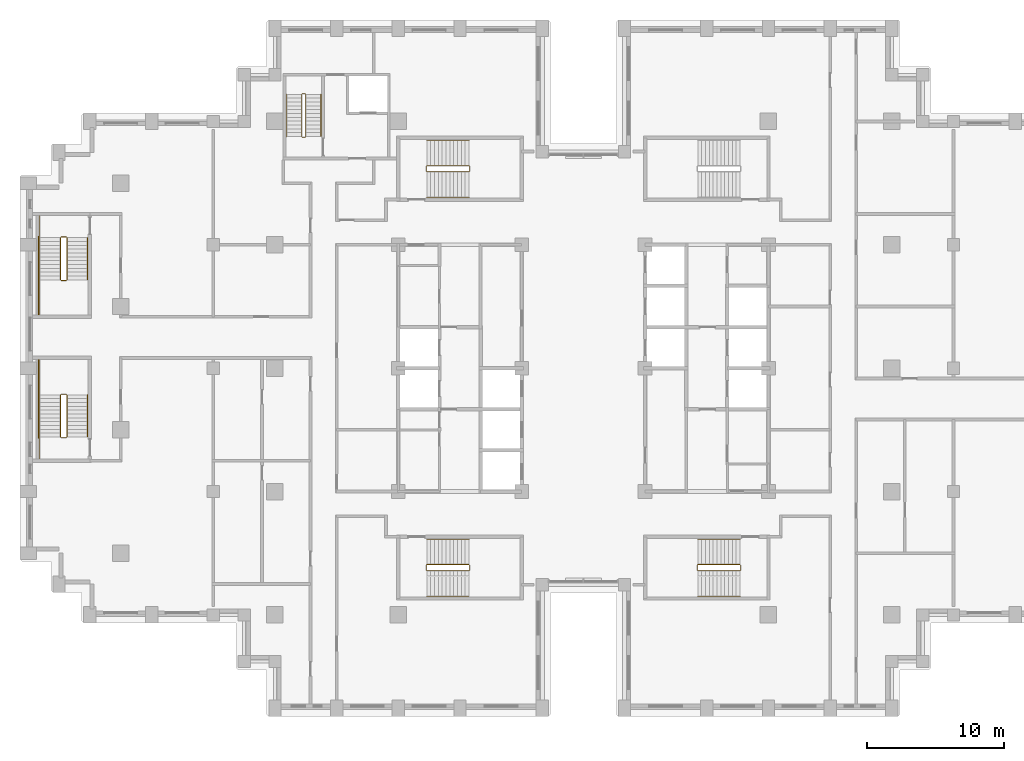
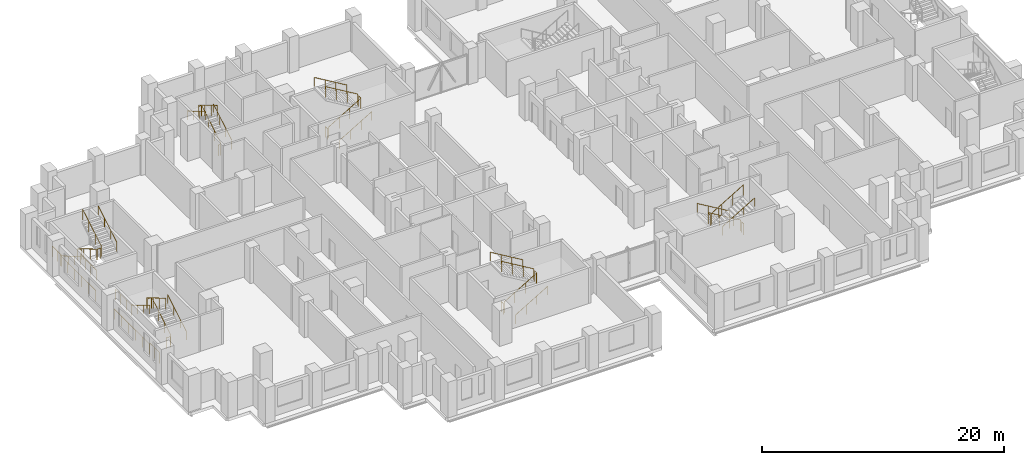
# One storey, part 15 of 16: 6 railings.
"""IFC4 building model written with IfcOpenShell, lengths in metres."""

from ifc_helpers import new_model, si_unit, direction, frame, origin, origin_2d, place, context, subcontext, project, spatial, circle, extrude, material, type_object, element, save


model = new_model("IFC4")

# Units and contexts
model_context = context("Model", 3, precision=1e-05, world=origin(), true_north=direction((0.0, 1.0)))
body_context = subcontext(model_context, "Body", "Model", "MODEL_VIEW")
ifc_project = project(units=[si_unit("LENGTHUNIT", "METRE"), si_unit("AREAUNIT", "SQUARE_METRE"), si_unit("VOLUMEUNIT", "CUBIC_METRE"), si_unit("PLANEANGLEUNIT", "RADIAN"), si_unit("MASSUNIT", "GRAM", prefix="KILO")], contexts=[model_context])

# Site, building, storey
site_placement = place(None, origin())
site = spatial("IfcSite", under=ifc_project, at=site_placement, CompositionType="ELEMENT")
building_placement = place(site_placement, origin())
building = spatial("IfcBuilding", under=site, at=building_placement, Name="Corbelhall Arena Tower", CompositionType="ELEMENT")
storey_placement = place(building_placement, frame((0.0, 0.0, 116.0)))
storey = spatial("IfcBuildingStorey", under=building, at=storey_placement, Name="L21", CompositionType="ELEMENT", Elevation=116.0)

# Railings
ifc_material = material(Name="Steel ASTM A500 Gr C", Category="steel")
railing_type = type_object("IfcRailingType", Name="IN-GD-1100", PredefinedType="GUARDRAIL", material=ifc_material)
railing_1_placement = place(storey_placement, frame((-11.425048828125, 14.324951171875, 0.166748046875)))
element("IfcRailing", 1, at=railing_1_placement, inside=storey, type_object=railing_type, Name="L21 ST1 stair guards and handrails", PredefinedType="GUARDRAIL", context=body_context, shape_type="SweptSolid", body=[
    extrude(circle(Radius=0.02392578125, at=origin_2d()), frame((0.0, 0.0, 1.076171875), z_axis=(0.859308565015, 0.0, 0.511457515432), x_axis=(0.0, 1.0, 0.0)), (0.0, 0.0, 1.0), 3.58447265625),
    extrude(circle(Radius=0.02392578125, at=origin_2d()), frame((3.130126953125, 0.050048828125, 2.9091796875), z_axis=(0.0, 1.0, 0.0), x_axis=(-1.0, 0.0, 0.0)), (0.0, 0.0, 1.0), 0.35009765625),
    extrude(circle(Radius=0.02392578125, at=origin_2d()), frame((3.080078125, 0.449951171875, 3.076171875), z_axis=(-0.859308565015, 0.0, 0.511457515432), x_axis=(0.0, -1.0, 0.0)), (0.0, 0.0, 1.0), 3.58447265625),
    extrude(circle(Radius=0.02392578125, at=origin_2d()), frame((-0.050048828125, 0.050048828125, 0.9091796875), z_axis=(0.0, 1.0, 0.0), x_axis=(-1.0, 0.0, 0.0)), (0.0, 0.0, 1.0), 0.35009765625),
    extrude(circle(Radius=0.02392578125, at=origin_2d()), frame((0.0, -1.849853515625, 0.8759765625), z_axis=(0.859308565015, 0.0, 0.511457515432), x_axis=(0.0, 1.0, 0.0)), (0.0, 0.0, 1.0), 3.58447265625),
    extrude(circle(Radius=0.02392578125, at=origin_2d()), frame((3.080078125, 2.300048828125, 2.8759765625), z_axis=(-0.859308565015, 0.0, 0.511457515432), x_axis=(0.0, -1.0, 0.0)), (0.0, 0.0, 1.0), 3.58447265625),
    extrude(circle(Radius=0.02099609375, at=origin_2d()), origin(), (0.0, 0.0, 1.0), 1.052001953125),
    extrude(circle(Radius=0.02099609375, at=origin_2d()), frame((1.026611328125, 0.0, 0.611083984375)), (0.0, 0.0, 1.0), 1.052001953125),
    extrude(circle(Radius=0.02099609375, at=origin_2d()), frame((2.053466796875, 0.0, 1.22216796875)), (0.0, 0.0, 1.0), 1.052001953125),
    extrude(circle(Radius=0.02099609375, at=origin_2d()), frame((3.080078125, 0.0, 1.833251953125)), (0.0, 0.0, 1.0), 1.052001953125),
    extrude(circle(Radius=0.02099609375, at=origin_2d()), frame((3.130126953125, 0.050048828125, 1.833251953125)), (0.0, 0.0, 1.0), 1.052001953125),
    extrude(circle(Radius=0.02099609375, at=origin_2d()), frame((3.130126953125, 0.400146484375, 1.833251953125)), (0.0, 0.0, 1.0), 1.052001953125),
    extrude(circle(Radius=0.02099609375, at=origin_2d()), frame((3.080078125, 0.449951171875, 2.0)), (0.0, 0.0, 1.0), 1.052001953125),
    extrude(circle(Radius=0.02099609375, at=origin_2d()), frame((2.053466796875, 0.449951171875, 2.611083984375)), (0.0, 0.0, 1.0), 1.052001953125),
    extrude(circle(Radius=0.02099609375, at=origin_2d()), frame((1.026611328125, 0.449951171875, 3.22216796875)), (0.0, 0.0, 1.0), 1.052001953125),
    extrude(circle(Radius=0.02099609375, at=origin_2d()), frame((0.0, 0.449951171875, 3.833251953125)), (0.0, 0.0, 1.0), 1.052001953125),
    extrude(circle(Radius=0.02099609375, at=origin_2d()), frame((-0.050048828125, 0.050048828125, -0.166748046875)), (0.0, 0.0, 1.0), 1.052001953125),
    extrude(circle(Radius=0.02099609375, at=origin_2d()), frame((-0.050048828125, 0.400146484375, -0.166748046875)), (0.0, 0.0, 1.0), 1.052001953125),
    extrude(circle(Radius=0.02099609375, at=origin_2d()), frame((0.0, -1.849853515625, 0.0)), (0.0, 0.0, 1.0), 0.851806640625),
    extrude(circle(Radius=0.02099609375, at=origin_2d()), frame((1.026611328125, -1.849853515625, 0.611083984375)), (0.0, 0.0, 1.0), 0.851806640625),
    extrude(circle(Radius=0.02099609375, at=origin_2d()), frame((2.053466796875, -1.849853515625, 1.22216796875)), (0.0, 0.0, 1.0), 0.851806640625),
    extrude(circle(Radius=0.02099609375, at=origin_2d()), frame((3.080078125, -1.849853515625, 1.833251953125)), (0.0, 0.0, 1.0), 0.851806640625),
    extrude(circle(Radius=0.02099609375, at=origin_2d()), frame((3.080078125, 2.300048828125, 2.0)), (0.0, 0.0, 1.0), 0.851806640625),
    extrude(circle(Radius=0.02099609375, at=origin_2d()), frame((2.053466796875, 2.300048828125, 2.611083984375)), (0.0, 0.0, 1.0), 0.851806640625),
    extrude(circle(Radius=0.02099609375, at=origin_2d()), frame((1.026611328125, 2.300048828125, 3.22216796875)), (0.0, 0.0, 1.0), 0.851806640625),
    extrude(circle(Radius=0.02099609375, at=origin_2d()), frame((0.0, 2.300048828125, 3.833251953125)), (0.0, 0.0, 1.0), 0.851806640625),
])
railing_2_placement = place(storey_placement, frame((-11.425048828125, -14.77490234375, 0.166748046875)))
element("IfcRailing", 2, at=railing_2_placement, inside=storey, type_object=railing_type, Name="L21 ST2 stair guards and handrails", PredefinedType="GUARDRAIL", context=body_context, shape_type="SweptSolid", body=[
    extrude(circle(Radius=0.02392578125, at=origin_2d()), frame((0.0, 0.0, 1.076171875), z_axis=(0.859308565015, 0.0, 0.511457515432), x_axis=(0.0, 1.0, 0.0)), (0.0, 0.0, 1.0), 3.58447265625),
    extrude(circle(Radius=0.02392578125, at=origin_2d()), frame((3.130126953125, 0.0498046875, 2.9091796875), z_axis=(0.0, 1.0, 0.0), x_axis=(-1.0, 0.0, 0.0)), (0.0, 0.0, 1.0), 0.35009765625),
    extrude(circle(Radius=0.02392578125, at=origin_2d()), frame((3.080078125, 0.449951171875, 3.076171875), z_axis=(-0.859308565015, 0.0, 0.511457515432), x_axis=(0.0, -1.0, 0.0)), (0.0, 0.0, 1.0), 3.58447265625),
    extrude(circle(Radius=0.02392578125, at=origin_2d()), frame((-0.050048828125, 0.0498046875, 0.9091796875), z_axis=(0.0, 1.0, 0.0), x_axis=(-1.0, 0.0, 0.0)), (0.0, 0.0, 1.0), 0.35009765625),
    extrude(circle(Radius=0.02392578125, at=origin_2d()), frame((0.0, -1.85009765625, 0.8759765625), z_axis=(0.859308565015, 0.0, 0.511457515432), x_axis=(0.0, 1.0, 0.0)), (0.0, 0.0, 1.0), 3.58447265625),
    extrude(circle(Radius=0.02392578125, at=origin_2d()), frame((3.080078125, 2.2998046875, 2.8759765625), z_axis=(-0.859308565015, 0.0, 0.511457515432), x_axis=(0.0, -1.0, 0.0)), (0.0, 0.0, 1.0), 3.58447265625),
    extrude(circle(Radius=0.02099609375, at=origin_2d()), origin(), (0.0, 0.0, 1.0), 1.052001953125),
    extrude(circle(Radius=0.02099609375, at=origin_2d()), frame((1.026611328125, 0.0, 0.611083984375)), (0.0, 0.0, 1.0), 1.052001953125),
    extrude(circle(Radius=0.02099609375, at=origin_2d()), frame((2.053466796875, 0.0, 1.22216796875)), (0.0, 0.0, 1.0), 1.052001953125),
    extrude(circle(Radius=0.02099609375, at=origin_2d()), frame((3.080078125, 0.0, 1.833251953125)), (0.0, 0.0, 1.0), 1.052001953125),
    extrude(circle(Radius=0.02099609375, at=origin_2d()), frame((3.130126953125, 0.0498046875, 1.833251953125)), (0.0, 0.0, 1.0), 1.052001953125),
    extrude(circle(Radius=0.02099609375, at=origin_2d()), frame((3.130126953125, 0.39990234375, 1.833251953125)), (0.0, 0.0, 1.0), 1.052001953125),
    extrude(circle(Radius=0.02099609375, at=origin_2d()), frame((3.080078125, 0.449951171875, 2.0)), (0.0, 0.0, 1.0), 1.052001953125),
    extrude(circle(Radius=0.02099609375, at=origin_2d()), frame((2.053466796875, 0.449951171875, 2.611083984375)), (0.0, 0.0, 1.0), 1.052001953125),
    extrude(circle(Radius=0.02099609375, at=origin_2d()), frame((1.026611328125, 0.449951171875, 3.22216796875)), (0.0, 0.0, 1.0), 1.052001953125),
    extrude(circle(Radius=0.02099609375, at=origin_2d()), frame((0.0, 0.449951171875, 3.833251953125)), (0.0, 0.0, 1.0), 1.052001953125),
    extrude(circle(Radius=0.02099609375, at=origin_2d()), frame((-0.050048828125, 0.0498046875, -0.166748046875)), (0.0, 0.0, 1.0), 1.052001953125),
    extrude(circle(Radius=0.02099609375, at=origin_2d()), frame((-0.050048828125, 0.39990234375, -0.166748046875)), (0.0, 0.0, 1.0), 1.052001953125),
    extrude(circle(Radius=0.02099609375, at=origin_2d()), frame((0.0, -1.85009765625, 0.0)), (0.0, 0.0, 1.0), 0.851806640625),
    extrude(circle(Radius=0.02099609375, at=origin_2d()), frame((1.026611328125, -1.85009765625, 0.611083984375)), (0.0, 0.0, 1.0), 0.851806640625),
    extrude(circle(Radius=0.02099609375, at=origin_2d()), frame((2.053466796875, -1.85009765625, 1.22216796875)), (0.0, 0.0, 1.0), 0.851806640625),
    extrude(circle(Radius=0.02099609375, at=origin_2d()), frame((3.080078125, -1.85009765625, 1.833251953125)), (0.0, 0.0, 1.0), 0.851806640625),
    extrude(circle(Radius=0.02099609375, at=origin_2d()), frame((3.080078125, 2.2998046875, 2.0)), (0.0, 0.0, 1.0), 0.851806640625),
    extrude(circle(Radius=0.02099609375, at=origin_2d()), frame((2.053466796875, 2.2998046875, 2.611083984375)), (0.0, 0.0, 1.0), 0.851806640625),
    extrude(circle(Radius=0.02099609375, at=origin_2d()), frame((1.026611328125, 2.2998046875, 3.22216796875)), (0.0, 0.0, 1.0), 0.851806640625),
    extrude(circle(Radius=0.02099609375, at=origin_2d()), frame((0.0, 2.2998046875, 3.833251953125)), (0.0, 0.0, 1.0), 0.851806640625),
])
railing_3_placement = place(storey_placement, frame((11.425048828125, -14.324951171875, 0.166748046875)))
element("IfcRailing", 3, at=railing_3_placement, inside=storey, type_object=railing_type, Name="L21 ST4 stair guards and handrails", PredefinedType="GUARDRAIL", context=body_context, shape_type="SweptSolid", body=[
    extrude(circle(Radius=0.02392578125, at=origin_2d()), frame((0.0, 0.0, 1.076171875), z_axis=(-0.859308565015, 0.0, 0.511457515432), x_axis=(0.0, -1.0, 0.0)), (0.0, 0.0, 1.0), 3.58447265625),
    extrude(circle(Radius=0.02392578125, at=origin_2d()), frame((-3.130126953125, -0.050048828125, 2.9091796875), z_axis=(0.0, -1.0, 0.0), x_axis=(1.0, 0.0, 0.0)), (0.0, 0.0, 1.0), 0.35009765625),
    extrude(circle(Radius=0.02392578125, at=origin_2d()), frame((-3.080078125, -0.449951171875, 3.076171875), z_axis=(0.859308565015, 0.0, 0.511457515432), x_axis=(0.0, 1.0, 0.0)), (0.0, 0.0, 1.0), 3.58447265625),
    extrude(circle(Radius=0.02392578125, at=origin_2d()), frame((0.050048828125, -0.050048828125, 0.9091796875), z_axis=(0.0, -1.0, 0.0), x_axis=(1.0, 0.0, 0.0)), (0.0, 0.0, 1.0), 0.35009765625),
    extrude(circle(Radius=0.02392578125, at=origin_2d()), frame((0.0, 1.849853515625, 0.8759765625), z_axis=(-0.859308565015, 0.0, 0.511457515432), x_axis=(0.0, -1.0, 0.0)), (0.0, 0.0, 1.0), 3.58447265625),
    extrude(circle(Radius=0.02392578125, at=origin_2d()), frame((-3.080078125, -2.300048828125, 2.8759765625), z_axis=(0.859308565015, 0.0, 0.511457515432), x_axis=(0.0, 1.0, 0.0)), (0.0, 0.0, 1.0), 3.58447265625),
    extrude(circle(Radius=0.02099609375, at=origin_2d()), origin(), (0.0, 0.0, 1.0), 1.052001953125),
    extrude(circle(Radius=0.02099609375, at=origin_2d()), frame((-1.026611328125, 0.0, 0.611083984375)), (0.0, 0.0, 1.0), 1.052001953125),
    extrude(circle(Radius=0.02099609375, at=origin_2d()), frame((-2.053466796875, 0.0, 1.22216796875)), (0.0, 0.0, 1.0), 1.052001953125),
    extrude(circle(Radius=0.02099609375, at=origin_2d()), frame((-3.080078125, 0.0, 1.833251953125)), (0.0, 0.0, 1.0), 1.052001953125),
    extrude(circle(Radius=0.02099609375, at=origin_2d()), frame((-3.130126953125, -0.050048828125, 1.833251953125)), (0.0, 0.0, 1.0), 1.052001953125),
    extrude(circle(Radius=0.02099609375, at=origin_2d()), frame((-3.130126953125, -0.400146484375, 1.833251953125)), (0.0, 0.0, 1.0), 1.052001953125),
    extrude(circle(Radius=0.02099609375, at=origin_2d()), frame((-3.080078125, -0.449951171875, 2.0)), (0.0, 0.0, 1.0), 1.052001953125),
    extrude(circle(Radius=0.02099609375, at=origin_2d()), frame((-2.053466796875, -0.449951171875, 2.611083984375)), (0.0, 0.0, 1.0), 1.052001953125),
    extrude(circle(Radius=0.02099609375, at=origin_2d()), frame((-1.026611328125, -0.449951171875, 3.22216796875)), (0.0, 0.0, 1.0), 1.052001953125),
    extrude(circle(Radius=0.02099609375, at=origin_2d()), frame((0.0, -0.449951171875, 3.833251953125)), (0.0, 0.0, 1.0), 1.052001953125),
    extrude(circle(Radius=0.02099609375, at=origin_2d()), frame((0.050048828125, -0.050048828125, -0.166748046875)), (0.0, 0.0, 1.0), 1.052001953125),
    extrude(circle(Radius=0.02099609375, at=origin_2d()), frame((0.050048828125, -0.400146484375, -0.166748046875)), (0.0, 0.0, 1.0), 1.052001953125),
    extrude(circle(Radius=0.02099609375, at=origin_2d()), frame((0.0, 1.849853515625, 0.0)), (0.0, 0.0, 1.0), 0.851806640625),
    extrude(circle(Radius=0.02099609375, at=origin_2d()), frame((-1.026611328125, 1.849853515625, 0.611083984375)), (0.0, 0.0, 1.0), 0.851806640625),
    extrude(circle(Radius=0.02099609375, at=origin_2d()), frame((-2.053466796875, 1.849853515625, 1.22216796875)), (0.0, 0.0, 1.0), 0.851806640625),
    extrude(circle(Radius=0.02099609375, at=origin_2d()), frame((-3.080078125, 1.849853515625, 1.833251953125)), (0.0, 0.0, 1.0), 0.851806640625),
    extrude(circle(Radius=0.02099609375, at=origin_2d()), frame((-3.080078125, -2.300048828125, 2.0)), (0.0, 0.0, 1.0), 0.851806640625),
    extrude(circle(Radius=0.02099609375, at=origin_2d()), frame((-2.053466796875, -2.300048828125, 2.611083984375)), (0.0, 0.0, 1.0), 0.851806640625),
    extrude(circle(Radius=0.02099609375, at=origin_2d()), frame((-1.026611328125, -2.300048828125, 3.22216796875)), (0.0, 0.0, 1.0), 0.851806640625),
    extrude(circle(Radius=0.02099609375, at=origin_2d()), frame((0.0, -2.300048828125, 3.833251953125)), (0.0, 0.0, 1.0), 0.851806640625),
])
railing_4_placement = place(storey_placement, frame((-38.14990234375, 9.52490234375, 0.166748046875)))
element("IfcRailing", 4, at=railing_4_placement, inside=storey, type_object=railing_type, Name="L21 SC1 stair guards and handrails", PredefinedType="GUARDRAIL", context=body_context, shape_type="SweptSolid", body=[
    extrude(circle(Radius=0.02392578125, at=origin_2d()), frame((0.0, 0.0, 1.076171875), z_axis=(0.0, -0.859290745958, 0.51148745235), x_axis=(1.0, 0.0, 0.0)), (0.0, 0.0, 1.0), 3.584228515625),
    extrude(circle(Radius=0.02392578125, at=origin_2d()), frame((0.0498046875, -3.1298828125, 2.9091796875), z_axis=(1.0, 0.0, 0.0), x_axis=(0.0, 1.0, 0.0)), (0.0, 0.0, 1.0), 0.375),
    extrude(circle(Radius=0.02392578125, at=origin_2d()), frame((-1.5, -3.079833984375, 2.9091796875), z_axis=(0.0, -1.0, 0.0), x_axis=(1.0, 0.0, 0.0)), (0.0, 0.0, 1.0), 2.570068359375),
    extrude(circle(Radius=0.02392578125, at=origin_2d()), frame((0.474853515625, -3.079833984375, 3.076171875), z_axis=(0.0, 0.859290745958, 0.51148745235), x_axis=(-1.0, 0.0, 0.0)), (0.0, 0.0, 1.0), 3.584228515625),
    extrude(circle(Radius=0.02392578125, at=origin_2d()), frame((0.0498046875, 0.050048828125, 0.9091796875), z_axis=(1.0, 0.0, 0.0), x_axis=(0.0, 1.0, 0.0)), (0.0, 0.0, 1.0), 0.375),
    extrude(circle(Radius=0.02392578125, at=origin_2d()), frame((-1.5, 1.60009765625, 0.9091796875), z_axis=(0.0, -1.0, 0.0), x_axis=(1.0, 0.0, 0.0)), (0.0, 0.0, 1.0), 1.60009765625),
    extrude(circle(Radius=0.02392578125, at=origin_2d()), frame((-1.60009765625, 0.10009765625, 0.9091796875), z_axis=(0.0, -1.0, 0.0), x_axis=(1.0, 0.0, 0.0)), (0.0, 0.0, 1.0), 5.85009765625),
    extrude(circle(Radius=0.02392578125, at=origin_2d()), frame((-1.5, 0.0, 0.8759765625), z_axis=(0.0, -0.859290745958, 0.51148745235), x_axis=(1.0, 0.0, 0.0)), (0.0, 0.0, 1.0), 3.584228515625),
    extrude(circle(Radius=0.02392578125, at=origin_2d()), frame((1.974853515625, -3.079833984375, 2.8759765625), z_axis=(0.0, 0.859290745958, 0.51148745235), x_axis=(-1.0, 0.0, 0.0)), (0.0, 0.0, 1.0), 3.584228515625),
    extrude(circle(Radius=0.02099609375, at=origin_2d()), origin(), (0.0, 0.0, 1.0), 1.052001953125),
    extrude(circle(Radius=0.02099609375, at=origin_2d()), frame((0.0, -1.026611328125, 0.611083984375)), (0.0, 0.0, 1.0), 1.052001953125),
    extrude(circle(Radius=0.02099609375, at=origin_2d()), frame((0.0, -2.05322265625, 1.22216796875)), (0.0, 0.0, 1.0), 1.052001953125),
    extrude(circle(Radius=0.02099609375, at=origin_2d()), frame((0.0, -3.079833984375, 1.833251953125)), (0.0, 0.0, 1.0), 1.052001953125),
    extrude(circle(Radius=0.02099609375, at=origin_2d()), frame((0.0498046875, -3.1298828125, 1.833251953125)), (0.0, 0.0, 1.0), 1.052001953125),
    extrude(circle(Radius=0.02099609375, at=origin_2d()), frame((0.4248046875, -3.1298828125, 1.833251953125)), (0.0, 0.0, 1.0), 1.052001953125),
    extrude(circle(Radius=0.02099609375, at=origin_2d()), frame((-1.5, -3.079833984375, 1.833251953125)), (0.0, 0.0, 1.0), 1.052001953125),
    extrude(circle(Radius=0.02099609375, at=origin_2d()), frame((-1.5, -3.9365234375, 1.833251953125)), (0.0, 0.0, 1.0), 1.052001953125),
    extrude(circle(Radius=0.02099609375, at=origin_2d()), frame((-1.5, -4.793212890625, 1.833251953125)), (0.0, 0.0, 1.0), 1.052001953125),
    extrude(circle(Radius=0.02099609375, at=origin_2d()), frame((-1.5, -5.64990234375, 1.833251953125)), (0.0, 0.0, 1.0), 1.052001953125),
    extrude(circle(Radius=0.02099609375, at=origin_2d()), frame((0.474853515625, -3.079833984375, 2.0)), (0.0, 0.0, 1.0), 1.052001953125),
    extrude(circle(Radius=0.02099609375, at=origin_2d()), frame((0.474853515625, -2.05322265625, 2.611083984375)), (0.0, 0.0, 1.0), 1.052001953125),
    extrude(circle(Radius=0.02099609375, at=origin_2d()), frame((0.474853515625, -1.026611328125, 3.22216796875)), (0.0, 0.0, 1.0), 1.052001953125),
    extrude(circle(Radius=0.02099609375, at=origin_2d()), frame((0.474853515625, 0.0, 3.833251953125)), (0.0, 0.0, 1.0), 1.052001953125),
    extrude(circle(Radius=0.02099609375, at=origin_2d()), frame((0.0498046875, 0.050048828125, -0.166748046875)), (0.0, 0.0, 1.0), 1.052001953125),
    extrude(circle(Radius=0.02099609375, at=origin_2d()), frame((0.4248046875, 0.050048828125, -0.166748046875)), (0.0, 0.0, 1.0), 1.052001953125),
    extrude(circle(Radius=0.02099609375, at=origin_2d()), frame((-1.5, 1.60009765625, -0.166748046875)), (0.0, 0.0, 1.0), 1.052001953125),
    extrude(circle(Radius=0.02099609375, at=origin_2d()), frame((-1.5, 0.800048828125, -0.166748046875)), (0.0, 0.0, 1.0), 1.052001953125),
    extrude(circle(Radius=0.02099609375, at=origin_2d()), frame((-1.5, 0.0, -0.166748046875)), (0.0, 0.0, 1.0), 1.052001953125),
    extrude(circle(Radius=0.02099609375, at=origin_2d()), frame((-1.60009765625, 0.10009765625, -0.166748046875)), (0.0, 0.0, 1.0), 1.052001953125),
    extrude(circle(Radius=0.02099609375, at=origin_2d()), frame((-1.60009765625, -1.06982421875, -0.166748046875)), (0.0, 0.0, 1.0), 1.052001953125),
    extrude(circle(Radius=0.02099609375, at=origin_2d()), frame((-1.60009765625, -2.239990234375, -0.166748046875)), (0.0, 0.0, 1.0), 1.052001953125),
    extrude(circle(Radius=0.02099609375, at=origin_2d()), frame((-1.60009765625, -3.409912109375, -0.166748046875)), (0.0, 0.0, 1.0), 1.052001953125),
    extrude(circle(Radius=0.02099609375, at=origin_2d()), frame((-1.60009765625, -4.580078125, -0.166748046875)), (0.0, 0.0, 1.0), 1.052001953125),
    extrude(circle(Radius=0.02099609375, at=origin_2d()), frame((-1.60009765625, -5.75, -0.166748046875)), (0.0, 0.0, 1.0), 1.052001953125),
    extrude(circle(Radius=0.02099609375, at=origin_2d()), frame((-1.5, 0.0, 0.0)), (0.0, 0.0, 1.0), 0.851806640625),
    extrude(circle(Radius=0.02099609375, at=origin_2d()), frame((-1.5, -1.026611328125, 0.611083984375)), (0.0, 0.0, 1.0), 0.851806640625),
    extrude(circle(Radius=0.02099609375, at=origin_2d()), frame((-1.5, -2.05322265625, 1.22216796875)), (0.0, 0.0, 1.0), 0.851806640625),
    extrude(circle(Radius=0.02099609375, at=origin_2d()), frame((1.974853515625, -3.079833984375, 2.0)), (0.0, 0.0, 1.0), 0.851806640625),
    extrude(circle(Radius=0.02099609375, at=origin_2d()), frame((1.974853515625, -2.05322265625, 2.611083984375)), (0.0, 0.0, 1.0), 0.851806640625),
    extrude(circle(Radius=0.02099609375, at=origin_2d()), frame((1.974853515625, -1.026611328125, 3.22216796875)), (0.0, 0.0, 1.0), 0.851806640625),
    extrude(circle(Radius=0.02099609375, at=origin_2d()), frame((1.974853515625, 0.0, 3.833251953125)), (0.0, 0.0, 1.0), 0.851806640625),
])
railing_5_placement = place(storey_placement, frame((-37.675048828125, -5.02490234375, 0.166748046875)))
element("IfcRailing", 5, at=railing_5_placement, inside=storey, type_object=railing_type, Name="L21 SC2 stair guards and handrails", PredefinedType="GUARDRAIL", context=body_context, shape_type="SweptSolid", body=[
    extrude(circle(Radius=0.02392578125, at=origin_2d()), frame((0.0, 0.0, 1.076171875), z_axis=(0.0, 0.859290745958, 0.51148745235), x_axis=(-1.0, 0.0, 0.0)), (0.0, 0.0, 1.0), 3.584228515625),
    extrude(circle(Radius=0.02392578125, at=origin_2d()), frame((-0.050048828125, 3.1298828125, 2.9091796875), z_axis=(-1.0, 0.0, 0.0), x_axis=(0.0, -1.0, 0.0)), (0.0, 0.0, 1.0), 0.375),
    extrude(circle(Radius=0.02392578125, at=origin_2d()), frame((-1.974853515625, 3.079833984375, 2.9091796875), z_axis=(0.0, 1.0, 0.0), x_axis=(-1.0, 0.0, 0.0)), (0.0, 0.0, 1.0), 2.570068359375),
    extrude(circle(Radius=0.02392578125, at=origin_2d()), frame((-0.474853515625, 3.079833984375, 3.076171875), z_axis=(0.0, -0.859290745958, 0.51148745235), x_axis=(1.0, 0.0, 0.0)), (0.0, 0.0, 1.0), 3.584228515625),
    extrude(circle(Radius=0.02392578125, at=origin_2d()), frame((-0.050048828125, -0.050048828125, 0.9091796875), z_axis=(-1.0, 0.0, 0.0), x_axis=(0.0, -1.0, 0.0)), (0.0, 0.0, 1.0), 0.375),
    extrude(circle(Radius=0.02392578125, at=origin_2d()), frame((-1.974853515625, -1.60009765625, 0.9091796875), z_axis=(0.0, 1.0, 0.0), x_axis=(-1.0, 0.0, 0.0)), (0.0, 0.0, 1.0), 1.60009765625),
    extrude(circle(Radius=0.02392578125, at=origin_2d()), frame((-2.074951171875, -0.10009765625, 0.9091796875), z_axis=(0.0, 1.0, 0.0), x_axis=(-1.0, 0.0, 0.0)), (0.0, 0.0, 1.0), 5.85009765625),
    extrude(circle(Radius=0.02392578125, at=origin_2d()), frame((1.5, 0.0, 0.8759765625), z_axis=(0.0, 0.859290745958, 0.51148745235), x_axis=(-1.0, 0.0, 0.0)), (0.0, 0.0, 1.0), 3.584228515625),
    extrude(circle(Radius=0.02392578125, at=origin_2d()), frame((-1.974853515625, 3.079833984375, 2.8759765625), z_axis=(0.0, -0.859290745958, 0.51148745235), x_axis=(1.0, 0.0, 0.0)), (0.0, 0.0, 1.0), 3.584228515625),
    extrude(circle(Radius=0.02099609375, at=origin_2d()), origin(), (0.0, 0.0, 1.0), 1.052001953125),
    extrude(circle(Radius=0.02099609375, at=origin_2d()), frame((0.0, 1.026611328125, 0.611083984375)), (0.0, 0.0, 1.0), 1.052001953125),
    extrude(circle(Radius=0.02099609375, at=origin_2d()), frame((0.0, 2.05322265625, 1.22216796875)), (0.0, 0.0, 1.0), 1.052001953125),
    extrude(circle(Radius=0.02099609375, at=origin_2d()), frame((0.0, 3.079833984375, 1.833251953125)), (0.0, 0.0, 1.0), 1.052001953125),
    extrude(circle(Radius=0.02099609375, at=origin_2d()), frame((-0.050048828125, 3.1298828125, 1.833251953125)), (0.0, 0.0, 1.0), 1.052001953125),
    extrude(circle(Radius=0.02099609375, at=origin_2d()), frame((-0.425048828125, 3.1298828125, 1.833251953125)), (0.0, 0.0, 1.0), 1.052001953125),
    extrude(circle(Radius=0.02099609375, at=origin_2d()), frame((-1.974853515625, 3.079833984375, 1.833251953125)), (0.0, 0.0, 1.0), 1.052001953125),
    extrude(circle(Radius=0.02099609375, at=origin_2d()), frame((-1.974853515625, 3.9365234375, 1.833251953125)), (0.0, 0.0, 1.0), 1.052001953125),
    extrude(circle(Radius=0.02099609375, at=origin_2d()), frame((-1.974853515625, 4.793212890625, 1.833251953125)), (0.0, 0.0, 1.0), 1.052001953125),
    extrude(circle(Radius=0.02099609375, at=origin_2d()), frame((-1.974853515625, 5.64990234375, 1.833251953125)), (0.0, 0.0, 1.0), 1.052001953125),
    extrude(circle(Radius=0.02099609375, at=origin_2d()), frame((-0.474853515625, 3.079833984375, 2.0)), (0.0, 0.0, 1.0), 1.052001953125),
    extrude(circle(Radius=0.02099609375, at=origin_2d()), frame((-0.474853515625, 2.05322265625, 2.611083984375)), (0.0, 0.0, 1.0), 1.052001953125),
    extrude(circle(Radius=0.02099609375, at=origin_2d()), frame((-0.474853515625, 1.026611328125, 3.22216796875)), (0.0, 0.0, 1.0), 1.052001953125),
    extrude(circle(Radius=0.02099609375, at=origin_2d()), frame((-0.474853515625, 0.0, 3.833251953125)), (0.0, 0.0, 1.0), 1.052001953125),
    extrude(circle(Radius=0.02099609375, at=origin_2d()), frame((-0.050048828125, -0.050048828125, -0.166748046875)), (0.0, 0.0, 1.0), 1.052001953125),
    extrude(circle(Radius=0.02099609375, at=origin_2d()), frame((-0.425048828125, -0.050048828125, -0.166748046875)), (0.0, 0.0, 1.0), 1.052001953125),
    extrude(circle(Radius=0.02099609375, at=origin_2d()), frame((-1.974853515625, -1.60009765625, -0.166748046875)), (0.0, 0.0, 1.0), 1.052001953125),
    extrude(circle(Radius=0.02099609375, at=origin_2d()), frame((-1.974853515625, -0.800048828125, -0.166748046875)), (0.0, 0.0, 1.0), 1.052001953125),
    extrude(circle(Radius=0.02099609375, at=origin_2d()), frame((-1.974853515625, 0.0, -0.166748046875)), (0.0, 0.0, 1.0), 1.052001953125),
    extrude(circle(Radius=0.02099609375, at=origin_2d()), frame((-2.074951171875, -0.10009765625, -0.166748046875)), (0.0, 0.0, 1.0), 1.052001953125),
    extrude(circle(Radius=0.02099609375, at=origin_2d()), frame((-2.074951171875, 1.06982421875, -0.166748046875)), (0.0, 0.0, 1.0), 1.052001953125),
    extrude(circle(Radius=0.02099609375, at=origin_2d()), frame((-2.074951171875, 2.239990234375, -0.166748046875)), (0.0, 0.0, 1.0), 1.052001953125),
    extrude(circle(Radius=0.02099609375, at=origin_2d()), frame((-2.074951171875, 3.409912109375, -0.166748046875)), (0.0, 0.0, 1.0), 1.052001953125),
    extrude(circle(Radius=0.02099609375, at=origin_2d()), frame((-2.074951171875, 4.580078125, -0.166748046875)), (0.0, 0.0, 1.0), 1.052001953125),
    extrude(circle(Radius=0.02099609375, at=origin_2d()), frame((-2.074951171875, 5.75, -0.166748046875)), (0.0, 0.0, 1.0), 1.052001953125),
    extrude(circle(Radius=0.02099609375, at=origin_2d()), frame((1.5, 0.0, 0.0)), (0.0, 0.0, 1.0), 0.851806640625),
    extrude(circle(Radius=0.02099609375, at=origin_2d()), frame((1.5, 1.026611328125, 0.611083984375)), (0.0, 0.0, 1.0), 0.851806640625),
    extrude(circle(Radius=0.02099609375, at=origin_2d()), frame((1.5, 2.05322265625, 1.22216796875)), (0.0, 0.0, 1.0), 0.851806640625),
    extrude(circle(Radius=0.02099609375, at=origin_2d()), frame((1.5, 3.079833984375, 1.833251953125)), (0.0, 0.0, 1.0), 0.851806640625),
    extrude(circle(Radius=0.02099609375, at=origin_2d()), frame((-1.974853515625, 3.079833984375, 2.0)), (0.0, 0.0, 1.0), 0.851806640625),
    extrude(circle(Radius=0.02099609375, at=origin_2d()), frame((-1.974853515625, 2.05322265625, 2.611083984375)), (0.0, 0.0, 1.0), 0.851806640625),
    extrude(circle(Radius=0.02099609375, at=origin_2d()), frame((-1.974853515625, 1.026611328125, 3.22216796875)), (0.0, 0.0, 1.0), 0.851806640625),
    extrude(circle(Radius=0.02099609375, at=origin_2d()), frame((-1.974853515625, 0.0, 3.833251953125)), (0.0, 0.0, 1.0), 0.851806640625),
])
railing_6_placement = place(storey_placement, frame((-20.2451171875, 16.89990234375, 0.166748046875)))
element("IfcRailing", 6, at=railing_6_placement, inside=storey, type_object=railing_type, Name="L21 ST5 stair guards and handrails", PredefinedType="GUARDRAIL", context=body_context, shape_type="SweptSolid", body=[
    extrude(circle(Radius=0.02392578125, at=origin_2d()), frame((0.0, 0.0, 1.076171875), z_axis=(0.0, 0.859308565015, 0.511457515432), x_axis=(-1.0, 0.0, 0.0)), (0.0, 0.0, 1.0), 3.58447265625),
    extrude(circle(Radius=0.02392578125, at=origin_2d()), frame((-0.0498046875, 3.130126953125, 2.9091796875), z_axis=(-1.0, 0.0, 0.0), x_axis=(0.0, -1.0, 0.0)), (0.0, 0.0, 1.0), 0.2001953125),
    extrude(circle(Radius=0.02392578125, at=origin_2d()), frame((-0.2998046875, 3.080078125, 3.076171875), z_axis=(0.0, -0.859308565015, 0.511457515432), x_axis=(1.0, 0.0, 0.0)), (0.0, 0.0, 1.0), 3.58447265625),
    extrude(circle(Radius=0.02392578125, at=origin_2d()), frame((-0.0498046875, -0.0498046875, 0.9091796875), z_axis=(-1.0, 0.0, 0.0), x_axis=(0.0, -1.0, 0.0)), (0.0, 0.0, 1.0), 0.2001953125),
    extrude(circle(Radius=0.02392578125, at=origin_2d()), frame((1.10009765625, 0.0, 0.8759765625), z_axis=(0.0, 0.859308565015, 0.511457515432), x_axis=(-1.0, 0.0, 0.0)), (0.0, 0.0, 1.0), 3.58447265625),
    extrude(circle(Radius=0.02392578125, at=origin_2d()), frame((-1.39990234375, 3.080078125, 2.8759765625), z_axis=(0.0, -0.859308565015, 0.511457515432), x_axis=(1.0, 0.0, 0.0)), (0.0, 0.0, 1.0), 3.58447265625),
    extrude(circle(Radius=0.02099609375, at=origin_2d()), origin(), (0.0, 0.0, 1.0), 1.052001953125),
    extrude(circle(Radius=0.02099609375, at=origin_2d()), frame((0.0, 1.026611328125, 0.611083984375)), (0.0, 0.0, 1.0), 1.052001953125),
    extrude(circle(Radius=0.02099609375, at=origin_2d()), frame((0.0, 2.053466796875, 1.22216796875)), (0.0, 0.0, 1.0), 1.052001953125),
    extrude(circle(Radius=0.02099609375, at=origin_2d()), frame((0.0, 3.080078125, 1.833251953125)), (0.0, 0.0, 1.0), 1.052001953125),
    extrude(circle(Radius=0.02099609375, at=origin_2d()), frame((-0.0498046875, 3.130126953125, 1.833251953125)), (0.0, 0.0, 1.0), 1.052001953125),
    extrude(circle(Radius=0.02099609375, at=origin_2d()), frame((-0.25, 3.130126953125, 1.833251953125)), (0.0, 0.0, 1.0), 1.052001953125),
    extrude(circle(Radius=0.02099609375, at=origin_2d()), frame((-0.2998046875, 3.080078125, 2.0)), (0.0, 0.0, 1.0), 1.052001953125),
    extrude(circle(Radius=0.02099609375, at=origin_2d()), frame((-0.2998046875, 2.053466796875, 2.611083984375)), (0.0, 0.0, 1.0), 1.052001953125),
    extrude(circle(Radius=0.02099609375, at=origin_2d()), frame((-0.2998046875, 1.026611328125, 3.22216796875)), (0.0, 0.0, 1.0), 1.052001953125),
    extrude(circle(Radius=0.02099609375, at=origin_2d()), frame((-0.2998046875, 0.0, 3.833251953125)), (0.0, 0.0, 1.0), 1.052001953125),
    extrude(circle(Radius=0.02099609375, at=origin_2d()), frame((-0.0498046875, -0.0498046875, -0.166748046875)), (0.0, 0.0, 1.0), 1.052001953125),
    extrude(circle(Radius=0.02099609375, at=origin_2d()), frame((-0.25, -0.0498046875, -0.166748046875)), (0.0, 0.0, 1.0), 1.052001953125),
    extrude(circle(Radius=0.02099609375, at=origin_2d()), frame((1.10009765625, 0.0, 0.0)), (0.0, 0.0, 1.0), 0.851806640625),
    extrude(circle(Radius=0.02099609375, at=origin_2d()), frame((1.10009765625, 1.026611328125, 0.611083984375)), (0.0, 0.0, 1.0), 0.851806640625),
    extrude(circle(Radius=0.02099609375, at=origin_2d()), frame((1.10009765625, 2.053466796875, 1.22216796875)), (0.0, 0.0, 1.0), 0.851806640625),
    extrude(circle(Radius=0.02099609375, at=origin_2d()), frame((1.10009765625, 3.080078125, 1.833251953125)), (0.0, 0.0, 1.0), 0.851806640625),
    extrude(circle(Radius=0.02099609375, at=origin_2d()), frame((-1.39990234375, 3.080078125, 2.0)), (0.0, 0.0, 1.0), 0.851806640625),
    extrude(circle(Radius=0.02099609375, at=origin_2d()), frame((-1.39990234375, 2.053466796875, 2.611083984375)), (0.0, 0.0, 1.0), 0.851806640625),
    extrude(circle(Radius=0.02099609375, at=origin_2d()), frame((-1.39990234375, 1.026611328125, 3.22216796875)), (0.0, 0.0, 1.0), 0.851806640625),
    extrude(circle(Radius=0.02099609375, at=origin_2d()), frame((-1.39990234375, 0.0, 3.833251953125)), (0.0, 0.0, 1.0), 0.851806640625),
])

save(model, "model.ifc")
